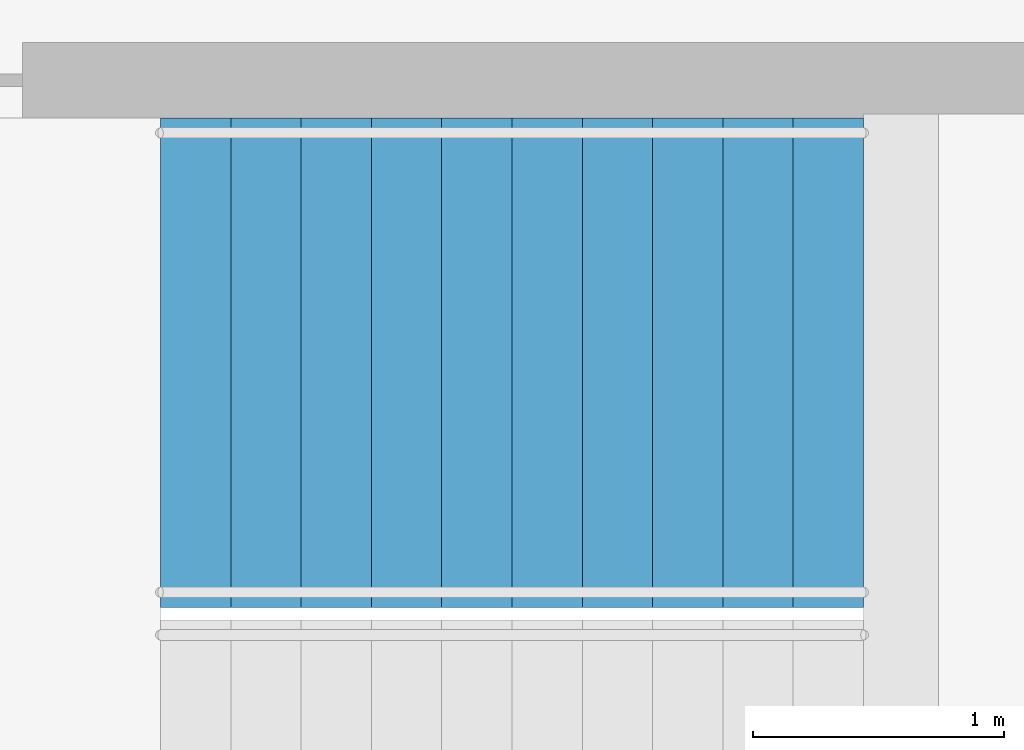
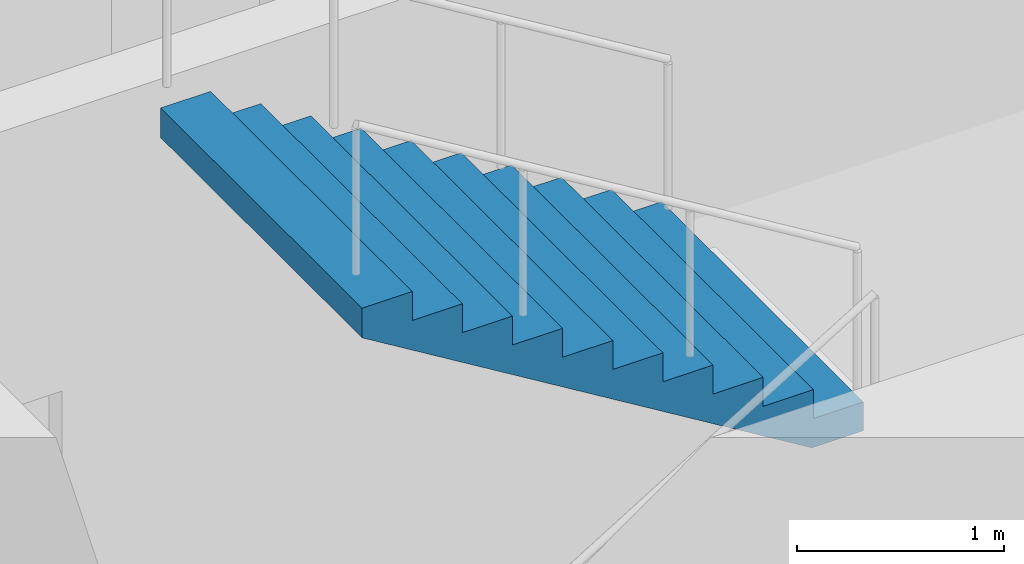
# One storey, part 21 of 26: 1 stair flight, 1 element without a shape of its own.
"""IFC4 building model written with IfcOpenShell, lengths in metres."""

from ifc_helpers import new_model, si_unit, direction, frame, origin, place, context, subcontext, project, spatial, triangles, material, type_object, element, aggregate, save


model = new_model("IFC4")

# Units and contexts
model_context = context("Model", 3, precision=1e-05, world=origin(), true_north=direction((0.0, 1.0)))
body_context = subcontext(model_context, "Body", "Model", "MODEL_VIEW")
ifc_project = project(units=[si_unit("LENGTHUNIT", "METRE"), si_unit("AREAUNIT", "SQUARE_METRE"), si_unit("VOLUMEUNIT", "CUBIC_METRE"), si_unit("PLANEANGLEUNIT", "RADIAN"), si_unit("MASSUNIT", "GRAM", prefix="KILO")], contexts=[model_context])

# Site, building, storey
site_placement = place(None, origin())
site = spatial("IfcSite", under=ifc_project, at=site_placement, CompositionType="ELEMENT")
building_placement = place(site_placement, origin())
building = spatial("IfcBuilding", under=site, at=building_placement, Name="Orbita Commons", CompositionType="ELEMENT")
storey_placement = place(building_placement, frame((0.0, 0.0, 53.949951171875)))
storey = spatial("IfcBuildingStorey", under=building, at=storey_placement, Name="L13", CompositionType="ELEMENT", Elevation=53.949951171875)

# Stair, stair flight
ifc_material_1 = material(Name="Precast concrete C40/50", Category="concrete")
stair_type = type_object("IfcStairType", Name="Exit stair S1 2 flights 11 risers 170", PredefinedType="HALF_TURN_STAIR", material=ifc_material_1)
stair_placement = place(storey_placement, origin())
stair = element("IfcStair", 1, at=stair_placement, inside=storey, type_object=stair_type, Name="Exit stair S1 L13", PredefinedType="HALF_TURN_STAIR")
ifc_material_2 = material(Name="Precast concrete C40/50", Category="concrete")
stair_flight_type = type_object("IfcStairFlightType", Name="Stair flight 11 risers 170 x 280", PredefinedType="STRAIGHT", material=ifc_material_2)
stair_flight_placement = place(storey_placement, frame((23.25, 29.27490234375, 1.875), z_axis=(0.0, 0.0, 1.0), x_axis=(-1.0, 0.0, 0.0)))
stair_flight = element("IfcStairFlight", 2, at=stair_flight_placement, type_object=stair_flight_type, Name="S1 flight 2", NumberOfRisers=11, NumberOfTreads=10, PredefinedType="STRAIGHT", RiserHeight=0.170454545, TreadLength=0.28, context=body_context, shape_type="Tessellation", body=[
    triangles([(0.0, 0.974976, 0.0), (0.0, 0.974976, 0.021307), (0.0, 0.81248, 0.021307), (0.0, 0.81248, 0.0), (0.0, 0.649984, 0.021307), (0.0, 0.649984, 0.0), (0.0, 0.487488, 0.021307), (0.0, 0.487488, 0.0), (0.0, 0.324992, 0.021307), (0.0, 0.324992, 0.0), (0.0, 0.162496, 0.021307), (0.0, 0.162496, 0.0), (0.0, 0.0, 0.021307), (0.0, 0.0, 0.0), (0.0, -0.162496, 0.021307), (0.0, -0.162496, 0.0), (0.0, -0.324992, 0.021307), (0.0, -0.324992, 0.0), (0.0, -0.487488, 0.021307), (0.0, -0.487488, 0.0), (0.0, -0.649984, 0.021307), (0.0, -0.649984, 0.0), (0.0, -0.81248, 0.021307), (0.0, -0.81248, 0.0), (0.0, -0.974976, 0.021307), (0.0, -0.974976, 0.0), (0.0, 0.974976, 0.042614), (0.0, 0.81248, 0.042614), (0.0, 0.649984, 0.042614), (0.0, 0.487488, 0.042614), (0.0, 0.324992, 0.042614), (0.0, 0.162496, 0.042614), (0.0, 0.0, 0.042614), (0.0, -0.162496, 0.042614), (0.0, -0.324992, 0.042614), (0.0, -0.487488, 0.042614), (0.0, -0.649984, 0.042614), (0.0, -0.81248, 0.042614), (0.0, -0.974976, 0.042614), (0.0, 0.974976, 0.06392), (0.0, 0.81248, 0.06392), (0.0, 0.649984, 0.06392), (0.0, 0.487488, 0.06392), (0.0, 0.324992, 0.06392), (0.0, 0.162496, 0.06392), (0.0, 0.0, 0.06392), (0.0, -0.162496, 0.06392), (0.0, -0.324992, 0.06392), (0.0, -0.487488, 0.06392), (0.0, -0.649984, 0.06392), (0.0, -0.81248, 0.06392), (0.0, -0.974976, 0.06392), (0.0, 0.974976, 0.085227), (0.0, 0.81248, 0.085227), (0.0, 0.649984, 0.085227), (0.0, 0.487488, 0.085227), (0.0, 0.324992, 0.085227), (0.0, 0.162496, 0.085227), (0.0, 0.0, 0.085227), (0.0, -0.162496, 0.085227), (0.0, -0.324992, 0.085227), (0.0, -0.487488, 0.085227), (0.0, -0.649984, 0.085227), (0.0, -0.81248, 0.085227), (0.0, -0.974976, 0.085227), (0.0, 0.974976, 0.106534), (0.0, 0.81248, 0.106534), (0.0, 0.649984, 0.106534), (0.0, 0.487488, 0.106534), (0.0, 0.324992, 0.106534), (0.0, 0.162496, 0.106534), (0.0, 0.0, 0.106534), (0.0, -0.162496, 0.106534), (0.0, -0.324992, 0.106534), (0.0, -0.487488, 0.106534), (0.0, -0.649984, 0.106534), (0.0, -0.81248, 0.106534), (0.0, -0.974976, 0.106534), (0.0, 0.974976, 0.127841), (0.0, 0.81248, 0.127841), (0.0, 0.649984, 0.127841), (0.0, 0.487488, 0.127841), (0.0, 0.324992, 0.127841), (0.0, 0.162496, 0.127841), (0.0, 0.0, 0.127841), (0.0, -0.162496, 0.127841), (0.0, -0.324992, 0.127841), (0.0, -0.487488, 0.127841), (0.0, -0.649984, 0.127841), (0.0, -0.81248, 0.127841), (0.0, -0.974976, 0.127841), (0.0, 0.974976, 0.149148), (0.0, 0.81248, 0.149148), (0.0, 0.649984, 0.149148), (0.0, 0.487488, 0.149148), (0.0, 0.324992, 0.149148), (0.0, 0.162496, 0.149148), (0.0, 0.0, 0.149148), (0.0, -0.162496, 0.149148), (0.0, -0.324992, 0.149148), (0.0, -0.487488, 0.149148), (0.0, -0.649984, 0.149148), (0.0, -0.81248, 0.149148), (0.0, -0.974976, 0.149148), (0.0, 0.974976, 0.170455), (0.0, 0.81248, 0.170455), (0.0, 0.649984, 0.170455), (0.0, 0.487488, 0.170455), (0.0, 0.324992, 0.170455), (0.0, 0.162496, 0.170455), (0.0, 0.0, 0.170455), (0.0, -0.162496, 0.170455), (0.0, -0.324992, 0.170455), (0.0, -0.487488, 0.170455), (0.0, -0.649984, 0.170455), (0.0, -0.81248, 0.170455), (0.0, -0.974976, 0.170455), (0.28, 0.974976, 0.170455), (0.28, 0.81248, 0.170455), (0.28, 0.649984, 0.170455), (0.28, 0.487488, 0.170455), (0.28, 0.324992, 0.170455), (0.28, 0.162496, 0.170455), (0.28, 0.0, 0.170455), (0.28, -0.162496, 0.170455), (0.28, -0.324992, 0.170455), (0.28, -0.487488, 0.170455), (0.28, -0.649984, 0.170455), (0.28, -0.81248, 0.170455), (0.28, -0.974976, 0.170455), (0.28, 0.974976, 0.340909), (0.28, 0.81248, 0.340909), (0.28, 0.649984, 0.340909), (0.28, 0.487488, 0.340909), (0.28, 0.324992, 0.340909), (0.28, 0.162496, 0.340909), (0.28, 0.0, 0.340909), (0.28, -0.162496, 0.340909), (0.28, -0.324992, 0.340909), (0.28, -0.487488, 0.340909), (0.28, -0.649984, 0.340909), (0.28, -0.81248, 0.340909), (0.28, -0.974976, 0.340909), (0.56, 0.974976, 0.340909), (0.56, 0.81248, 0.340909), (0.56, 0.649984, 0.340909), (0.56, 0.487488, 0.340909), (0.56, 0.324992, 0.340909), (0.56, 0.162496, 0.340909), (0.56, 0.0, 0.340909), (0.56, -0.162496, 0.340909), (0.56, -0.324992, 0.340909), (0.56, -0.487488, 0.340909), (0.56, -0.649984, 0.340909), (0.56, -0.81248, 0.340909), (0.56, -0.974976, 0.340909), (0.56, 0.974976, 0.511364), (0.56, 0.81248, 0.511364), (0.56, 0.649984, 0.511364), (0.56, 0.487488, 0.511364), (0.56, 0.324992, 0.511364), (0.56, 0.162496, 0.511364), (0.56, 0.0, 0.511364), (0.56, -0.162496, 0.511364), (0.56, -0.324992, 0.511364), (0.56, -0.487488, 0.511364), (0.56, -0.649984, 0.511364), (0.56, -0.81248, 0.511364), (0.56, -0.974976, 0.511364), (0.84, 0.974976, 0.511364), (0.84, 0.81248, 0.511364), (0.84, 0.649984, 0.511364), (0.84, 0.487488, 0.511364), (0.84, 0.324992, 0.511364), (0.84, 0.162496, 0.511364), (0.84, 0.0, 0.511364), (0.84, -0.162496, 0.511364), (0.84, -0.324992, 0.511364), (0.84, -0.487488, 0.511364), (0.84, -0.649984, 0.511364), (0.84, -0.81248, 0.511364), (0.84, -0.974976, 0.511364), (0.84, 0.974976, 0.681818), (0.84, 0.81248, 0.681818), (0.84, 0.649984, 0.681818), (0.84, 0.487488, 0.681818), (0.84, 0.324992, 0.681818), (0.84, 0.162496, 0.681818), (0.84, 0.0, 0.681818), (0.84, -0.162496, 0.681818), (0.84, -0.324992, 0.681818), (0.84, -0.487488, 0.681818), (0.84, -0.649984, 0.681818), (0.84, -0.81248, 0.681818), (0.84, -0.974976, 0.681818), (1.12, 0.974976, 0.681818), (1.12, 0.81248, 0.681818), (1.12, 0.649984, 0.681818), (1.12, 0.487488, 0.681818), (1.12, 0.324992, 0.681818), (1.12, 0.162496, 0.681818), (1.12, 0.0, 0.681818), (1.12, -0.162496, 0.681818), (1.12, -0.324992, 0.681818), (1.12, -0.487488, 0.681818), (1.12, -0.649984, 0.681818), (1.12, -0.81248, 0.681818), (1.12, -0.974976, 0.681818), (1.12, 0.974976, 0.852273), (1.12, 0.81248, 0.852273), (1.12, 0.649984, 0.852273), (1.12, 0.487488, 0.852273), (1.12, 0.324992, 0.852273), (1.12, 0.162496, 0.852273), (1.12, 0.0, 0.852273), (1.12, -0.162496, 0.852273), (1.12, -0.324992, 0.852273), (1.12, -0.487488, 0.852273), (1.12, -0.649984, 0.852273), (1.12, -0.81248, 0.852273), (1.12, -0.974976, 0.852273), (1.4, 0.974976, 0.852273), (1.4, 0.81248, 0.852273), (1.4, 0.649984, 0.852273), (1.4, 0.487488, 0.852273), (1.4, 0.324992, 0.852273), (1.4, 0.162496, 0.852273), (1.4, 0.0, 0.852273), (1.4, -0.162496, 0.852273), (1.4, -0.324992, 0.852273), (1.4, -0.487488, 0.852273), (1.4, -0.649984, 0.852273), (1.4, -0.81248, 0.852273), (1.4, -0.974976, 0.852273), (1.4, 0.974976, 1.022727), (1.4, 0.81248, 1.022727), (1.4, 0.649984, 1.022727), (1.4, 0.487488, 1.022727), (1.4, 0.324992, 1.022727), (1.4, 0.162496, 1.022727), (1.4, 0.0, 1.022727), (1.4, -0.162496, 1.022727), (1.4, -0.324992, 1.022727), (1.4, -0.487488, 1.022727), (1.4, -0.649984, 1.022727), (1.4, -0.81248, 1.022727), (1.4, -0.974976, 1.022727), (1.68, 0.974976, 1.022727), (1.68, 0.81248, 1.022727), (1.68, 0.649984, 1.022727), (1.68, 0.487488, 1.022727), (1.68, 0.324992, 1.022727), (1.68, 0.162496, 1.022727), (1.68, 0.0, 1.022727), (1.68, -0.162496, 1.022727), (1.68, -0.324992, 1.022727), (1.68, -0.487488, 1.022727), (1.68, -0.649984, 1.022727), (1.68, -0.81248, 1.022727), (1.68, -0.974976, 1.022727), (1.68, 0.974976, 1.193182), (1.68, 0.81248, 1.193182), (1.68, 0.649984, 1.193182), (1.68, 0.487488, 1.193182), (1.68, 0.324992, 1.193182), (1.68, 0.162496, 1.193182), (1.68, 0.0, 1.193182), (1.68, -0.162496, 1.193182), (1.68, -0.324992, 1.193182), (1.68, -0.487488, 1.193182), (1.68, -0.649984, 1.193182), (1.68, -0.81248, 1.193182), (1.68, -0.974976, 1.193182), (1.96, 0.974976, 1.193182), (1.96, 0.81248, 1.193182), (1.96, 0.649984, 1.193182), (1.96, 0.487488, 1.193182), (1.96, 0.324992, 1.193182), (1.96, 0.162496, 1.193182), (1.96, 0.0, 1.193182), (1.96, -0.162496, 1.193182), (1.96, -0.324992, 1.193182), (1.96, -0.487488, 1.193182), (1.96, -0.649984, 1.193182), (1.96, -0.81248, 1.193182), (1.96, -0.974976, 1.193182), (1.96, 0.974976, 1.363636), (1.96, 0.81248, 1.363636), (1.96, 0.649984, 1.363636), (1.96, 0.487488, 1.363636), (1.96, 0.324992, 1.363636), (1.96, 0.162496, 1.363636), (1.96, 0.0, 1.363636), (1.96, -0.162496, 1.363636), (1.96, -0.324992, 1.363636), (1.96, -0.487488, 1.363636), (1.96, -0.649984, 1.363636), (1.96, -0.81248, 1.363636), (1.96, -0.974976, 1.363636), (2.24, 0.974976, 1.363636), (2.24, 0.81248, 1.363636), (2.24, 0.649984, 1.363636), (2.24, 0.487488, 1.363636), (2.24, 0.324992, 1.363636), (2.24, 0.162496, 1.363636), (2.24, 0.0, 1.363636), (2.24, -0.162496, 1.363636), (2.24, -0.324992, 1.363636), (2.24, -0.487488, 1.363636), (2.24, -0.649984, 1.363636), (2.24, -0.81248, 1.363636), (2.24, -0.974976, 1.363636), (2.24, 0.974976, 1.534091), (2.24, 0.81248, 1.534091), (2.24, 0.649984, 1.534091), (2.24, 0.487488, 1.534091), (2.24, 0.324992, 1.534091), (2.24, 0.162496, 1.534091), (2.24, 0.0, 1.534091), (2.24, -0.162496, 1.534091), (2.24, -0.324992, 1.534091), (2.24, -0.487488, 1.534091), (2.24, -0.649984, 1.534091), (2.24, -0.81248, 1.534091), (2.24, -0.974976, 1.534091), (2.52, 0.974976, 1.534091), (2.52, 0.81248, 1.534091), (2.52, 0.649984, 1.534091), (2.52, 0.487488, 1.534091), (2.52, 0.324992, 1.534091), (2.52, 0.162496, 1.534091), (2.52, 0.0, 1.534091), (2.52, -0.162496, 1.534091), (2.52, -0.324992, 1.534091), (2.52, -0.487488, 1.534091), (2.52, -0.649984, 1.534091), (2.52, -0.81248, 1.534091), (2.52, -0.974976, 1.534091), (2.52, 0.974976, 1.704545), (2.52, 0.81248, 1.704545), (2.52, 0.649984, 1.704545), (2.52, 0.487488, 1.704545), (2.52, 0.324992, 1.704545), (2.52, 0.162496, 1.704545), (2.52, 0.0, 1.704545), (2.52, -0.162496, 1.704545), (2.52, -0.324992, 1.704545), (2.52, -0.487488, 1.704545), (2.52, -0.649984, 1.704545), (2.52, -0.81248, 1.704545), (2.52, -0.974976, 1.704545), (2.8, 0.974976, 1.704545), (2.8, 0.81248, 1.704545), (2.8, 0.649984, 1.704545), (2.8, 0.487488, 1.704545), (2.8, 0.324992, 1.704545), (2.8, 0.162496, 1.704545), (2.8, 0.0, 1.704545), (2.8, -0.162496, 1.704545), (2.8, -0.324992, 1.704545), (2.8, -0.487488, 1.704545), (2.8, -0.649984, 1.704545), (2.8, -0.81248, 1.704545), (2.8, -0.974976, 1.704545), (2.8, 0.974976, 1.682609), (2.8, 0.81248, 1.682609), (2.8, 0.649984, 1.682609), (2.8, 0.487488, 1.682609), (2.8, 0.324992, 1.682609), (2.8, 0.162496, 1.682609), (2.8, 0.0, 1.682609), (2.8, -0.162496, 1.682609), (2.8, -0.324992, 1.682609), (2.8, -0.487488, 1.682609), (2.8, -0.649984, 1.682609), (2.8, -0.81248, 1.682609), (2.8, -0.974976, 1.682609), (2.8, 0.974976, 1.660672), (2.8, 0.81248, 1.660672), (2.8, 0.649984, 1.660672), (2.8, 0.487488, 1.660672), (2.8, 0.324992, 1.660672), (2.8, 0.162496, 1.660672), (2.8, 0.0, 1.660672), (2.8, -0.162496, 1.660672), (2.8, -0.324992, 1.660672), (2.8, -0.487488, 1.660672), (2.8, -0.649984, 1.660672), (2.8, -0.81248, 1.660672), (2.8, -0.974976, 1.660672), (2.8, 0.974976, 1.638735), (2.8, 0.81248, 1.638735), (2.8, 0.649984, 1.638735), (2.8, 0.487488, 1.638735), (2.8, 0.324992, 1.638735), (2.8, 0.162496, 1.638735), (2.8, 0.0, 1.638735), (2.8, -0.162496, 1.638735), (2.8, -0.324992, 1.638735), (2.8, -0.487488, 1.638735), (2.8, -0.649984, 1.638735), (2.8, -0.81248, 1.638735), (2.8, -0.974976, 1.638735), (2.8, 0.974976, 1.616798), (2.8, 0.81248, 1.616798), (2.8, 0.649984, 1.616798), (2.8, 0.487488, 1.616798), (2.8, 0.324992, 1.616798), (2.8, 0.162496, 1.616798), (2.8, 0.0, 1.616798), (2.8, -0.162496, 1.616798), (2.8, -0.324992, 1.616798), (2.8, -0.487488, 1.616798), (2.8, -0.649984, 1.616798), (2.8, -0.81248, 1.616798), (2.8, -0.974976, 1.616798), (2.8, 0.974976, 1.594861), (2.8, 0.81248, 1.594861), (2.8, 0.649984, 1.594861), (2.8, 0.487488, 1.594861), (2.8, 0.324992, 1.594861), (2.8, 0.162496, 1.594861), (2.8, 0.0, 1.594861), (2.8, -0.162496, 1.594861), (2.8, -0.324992, 1.594861), (2.8, -0.487488, 1.594861), (2.8, -0.649984, 1.594861), (2.8, -0.81248, 1.594861), (2.8, -0.974976, 1.594861), (2.8, 0.974976, 1.572925), (2.8, 0.81248, 1.572925), (2.8, 0.649984, 1.572925), (2.8, 0.487488, 1.572925), (2.8, 0.324992, 1.572925), (2.8, 0.162496, 1.572925), (2.8, 0.0, 1.572925), (2.8, -0.162496, 1.572925), (2.8, -0.324992, 1.572925), (2.8, -0.487488, 1.572925), (2.8, -0.649984, 1.572925), (2.8, -0.81248, 1.572925), (2.8, -0.974976, 1.572925), (2.8, 0.974976, 1.550988), (2.8, 0.81248, 1.550988), (2.8, 0.649984, 1.550988), (2.8, 0.487488, 1.550988), (2.8, 0.324992, 1.550988), (2.8, 0.162496, 1.550988), (2.8, 0.0, 1.550988), (2.8, -0.162496, 1.550988), (2.8, -0.324992, 1.550988), (2.8, -0.487488, 1.550988), (2.8, -0.649984, 1.550988), (2.8, -0.81248, 1.550988), (2.8, -0.974976, 1.550988), (2.8, 0.974976, 1.529051), (2.8, 0.81248, 1.529051), (2.8, 0.649984, 1.529051), (2.8, 0.487488, 1.529051), (2.8, 0.324992, 1.529051), (2.8, 0.162496, 1.529051), (2.8, 0.0, 1.529051), (2.8, -0.162496, 1.529051), (2.8, -0.324992, 1.529051), (2.8, -0.487488, 1.529051), (2.8, -0.649984, 1.529051), (2.8, -0.81248, 1.529051), (2.8, -0.974976, 1.529051), (0.288279, 0.974976, 0.0), (0.288279, 0.81248, 0.0), (0.288279, 0.649984, 0.0), (0.288279, 0.487488, 0.0), (0.288279, 0.324992, 0.0), (0.288279, 0.162496, 0.0), (0.288279, 0.0, 0.0), (0.288279, -0.162496, 0.0), (0.288279, -0.324992, 0.0), (0.288279, -0.487488, 0.0), (0.288279, -0.649984, 0.0), (0.288279, -0.81248, 0.0), (0.288279, -0.974976, 0.0)], [[3, 2, 1], [4, 3, 1], [5, 3, 4], [6, 5, 4], [7, 5, 6], [8, 7, 6], [9, 7, 8], [10, 9, 8], [11, 9, 10], [12, 11, 10], [13, 11, 12], [14, 13, 12], [15, 13, 14], [16, 15, 14], [17, 15, 16], [18, 17, 16], [19, 17, 18], [20, 19, 18], [21, 19, 20], [22, 21, 20], [23, 21, 22], [24, 23, 22], [25, 23, 24], [26, 25, 24], [28, 27, 2], [3, 28, 2], [29, 28, 3], [5, 29, 3], [30, 29, 5], [7, 30, 5], [31, 30, 7], [9, 31, 7], [32, 31, 9], [11, 32, 9], [33, 32, 11], [13, 33, 11], [34, 33, 13], [15, 34, 13], [35, 34, 15], [17, 35, 15], [36, 35, 17], [19, 36, 17], [37, 36, 19], [21, 37, 19], [38, 37, 21], [23, 38, 21], [39, 38, 23], [25, 39, 23], [41, 40, 27], [28, 41, 27], [42, 41, 28], [29, 42, 28], [43, 42, 29], [30, 43, 29], [44, 43, 30], [31, 44, 30], [45, 44, 31], [32, 45, 31], [46, 45, 32], [33, 46, 32], [47, 46, 33], [34, 47, 33], [48, 47, 34], [35, 48, 34], [49, 48, 35], [36, 49, 35], [50, 49, 36], [37, 50, 36], [51, 50, 37], [38, 51, 37], [52, 51, 38], [39, 52, 38], [54, 53, 40], [41, 54, 40], [55, 54, 41], [42, 55, 41], [56, 55, 42], [43, 56, 42], [57, 56, 43], [44, 57, 43], [58, 57, 44], [45, 58, 44], [59, 58, 45], [46, 59, 45], [60, 59, 46], [47, 60, 46], [61, 60, 47], [48, 61, 47], [62, 61, 48], [49, 62, 48], [63, 62, 49], [50, 63, 49], [64, 63, 50], [51, 64, 50], [65, 64, 51], [52, 65, 51], [67, 66, 53], [54, 67, 53], [68, 67, 54], [55, 68, 54], [69, 68, 55], [56, 69, 55], [70, 69, 56], [57, 70, 56], [71, 70, 57], [58, 71, 57], [72, 71, 58], [59, 72, 58], [73, 72, 59], [60, 73, 59], [74, 73, 60], [61, 74, 60], [75, 74, 61], [62, 75, 61], [76, 75, 62], [63, 76, 62], [77, 76, 63], [64, 77, 63], [78, 77, 64], [65, 78, 64], [80, 79, 66], [67, 80, 66], [81, 80, 67], [68, 81, 67], [82, 81, 68], [69, 82, 68], [83, 82, 69], [70, 83, 69], [84, 83, 70], [71, 84, 70], [85, 84, 71], [72, 85, 71], [86, 85, 72], [73, 86, 72], [87, 86, 73], [74, 87, 73], [88, 87, 74], [75, 88, 74], [89, 88, 75], [76, 89, 75], [90, 89, 76], [77, 90, 76], [91, 90, 77], [78, 91, 77], [93, 92, 79], [80, 93, 79], [94, 93, 80], [81, 94, 80], [95, 94, 81], [82, 95, 81], [96, 95, 82], [83, 96, 82], [97, 96, 83], [84, 97, 83], [98, 97, 84], [85, 98, 84], [99, 98, 85], [86, 99, 85], [100, 99, 86], [87, 100, 86], [101, 100, 87], [88, 101, 87], [102, 101, 88], [89, 102, 88], [103, 102, 89], [90, 103, 89], [104, 103, 90], [91, 104, 90], [106, 105, 92], [93, 106, 92], [107, 106, 93], [94, 107, 93], [108, 107, 94], [95, 108, 94], [109, 108, 95], [96, 109, 95], [110, 109, 96], [97, 110, 96], [111, 110, 97], [98, 111, 97], [112, 111, 98], [99, 112, 98], [113, 112, 99], [100, 113, 99], [114, 113, 100], [101, 114, 100], [115, 114, 101], [102, 115, 101], [116, 115, 102], [103, 116, 102], [117, 116, 103], [104, 117, 103], [119, 118, 105], [106, 119, 105], [120, 119, 106], [107, 120, 106], [121, 120, 107], [108, 121, 107], [122, 121, 108], [109, 122, 108], [123, 122, 109], [110, 123, 109], [124, 123, 110], [111, 124, 110], [125, 124, 111], [112, 125, 111], [126, 125, 112], [113, 126, 112], [127, 126, 113], [114, 127, 113], [128, 127, 114], [115, 128, 114], [129, 128, 115], [116, 129, 115], [130, 129, 116], [117, 130, 116], [132, 131, 118], [119, 132, 118], [133, 132, 119], [120, 133, 119], [134, 133, 120], [121, 134, 120], [135, 134, 121], [122, 135, 121], [136, 135, 122], [123, 136, 122], [137, 136, 123], [124, 137, 123], [138, 137, 124], [125, 138, 124], [139, 138, 125], [126, 139, 125], [140, 139, 126], [127, 140, 126], [141, 140, 127], [128, 141, 127], [142, 141, 128], [129, 142, 128], [143, 142, 129], [130, 143, 129], [145, 144, 131], [132, 145, 131], [146, 145, 132], [133, 146, 132], [147, 146, 133], [134, 147, 133], [148, 147, 134], [135, 148, 134], [149, 148, 135], [136, 149, 135], [150, 149, 136], [137, 150, 136], [151, 150, 137], [138, 151, 137], [152, 151, 138], [139, 152, 138], [153, 152, 139], [140, 153, 139], [154, 153, 140], [141, 154, 140], [155, 154, 141], [142, 155, 141], [156, 155, 142], [143, 156, 142], [158, 157, 144], [145, 158, 144], [159, 158, 145], [146, 159, 145], [160, 159, 146], [147, 160, 146], [161, 160, 147], [148, 161, 147], [162, 161, 148], [149, 162, 148], [163, 162, 149], [150, 163, 149], [164, 163, 150], [151, 164, 150], [165, 164, 151], [152, 165, 151], [166, 165, 152], [153, 166, 152], [167, 166, 153], [154, 167, 153], [168, 167, 154], [155, 168, 154], [169, 168, 155], [156, 169, 155], [171, 170, 157], [158, 171, 157], [172, 171, 158], [159, 172, 158], [173, 172, 159], [160, 173, 159], [174, 173, 160], [161, 174, 160], [175, 174, 161], [162, 175, 161], [176, 175, 162], [163, 176, 162], [177, 176, 163], [164, 177, 163], [178, 177, 164], [165, 178, 164], [179, 178, 165], [166, 179, 165], [180, 179, 166], [167, 180, 166], [181, 180, 167], [168, 181, 167], [182, 181, 168], [169, 182, 168], [184, 183, 170], [171, 184, 170], [185, 184, 171], [172, 185, 171], [186, 185, 172], [173, 186, 172], [187, 186, 173], [174, 187, 173], [188, 187, 174], [175, 188, 174], [189, 188, 175], [176, 189, 175], [190, 189, 176], [177, 190, 176], [191, 190, 177], [178, 191, 177], [192, 191, 178], [179, 192, 178], [193, 192, 179], [180, 193, 179], [194, 193, 180], [181, 194, 180], [195, 194, 181], [182, 195, 181], [197, 196, 183], [184, 197, 183], [198, 197, 184], [185, 198, 184], [199, 198, 185], [186, 199, 185], [200, 199, 186], [187, 200, 186], [201, 200, 187], [188, 201, 187], [202, 201, 188], [189, 202, 188], [203, 202, 189], [190, 203, 189], [204, 203, 190], [191, 204, 190], [205, 204, 191], [192, 205, 191], [206, 205, 192], [193, 206, 192], [207, 206, 193], [194, 207, 193], [208, 207, 194], [195, 208, 194], [210, 209, 196], [197, 210, 196], [211, 210, 197], [198, 211, 197], [212, 211, 198], [199, 212, 198], [213, 212, 199], [200, 213, 199], [214, 213, 200], [201, 214, 200], [215, 214, 201], [202, 215, 201], [216, 215, 202], [203, 216, 202], [217, 216, 203], [204, 217, 203], [218, 217, 204], [205, 218, 204], [219, 218, 205], [206, 219, 205], [220, 219, 206], [207, 220, 206], [221, 220, 207], [208, 221, 207], [223, 222, 209], [210, 223, 209], [224, 223, 210], [211, 224, 210], [225, 224, 211], [212, 225, 211], [226, 225, 212], [213, 226, 212], [227, 226, 213], [214, 227, 213], [228, 227, 214], [215, 228, 214], [229, 228, 215], [216, 229, 215], [230, 229, 216], [217, 230, 216], [231, 230, 217], [218, 231, 217], [232, 231, 218], [219, 232, 218], [233, 232, 219], [220, 233, 219], [234, 233, 220], [221, 234, 220], [236, 235, 222], [223, 236, 222], [237, 236, 223], [224, 237, 223], [238, 237, 224], [225, 238, 224], [239, 238, 225], [226, 239, 225], [240, 239, 226], [227, 240, 226], [241, 240, 227], [228, 241, 227], [242, 241, 228], [229, 242, 228], [243, 242, 229], [230, 243, 229], [244, 243, 230], [231, 244, 230], [245, 244, 231], [232, 245, 231], [246, 245, 232], [233, 246, 232], [247, 246, 233], [234, 247, 233], [249, 248, 235], [236, 249, 235], [250, 249, 236], [237, 250, 236], [251, 250, 237], [238, 251, 237], [252, 251, 238], [239, 252, 238], [253, 252, 239], [240, 253, 239], [254, 253, 240], [241, 254, 240], [255, 254, 241], [242, 255, 241], [256, 255, 242], [243, 256, 242], [257, 256, 243], [244, 257, 243], [258, 257, 244], [245, 258, 244], [259, 258, 245], [246, 259, 245], [260, 259, 246], [247, 260, 246], [262, 261, 248], [249, 262, 248], [263, 262, 249], [250, 263, 249], [264, 263, 250], [251, 264, 250], [265, 264, 251], [252, 265, 251], [266, 265, 252], [253, 266, 252], [267, 266, 253], [254, 267, 253], [268, 267, 254], [255, 268, 254], [269, 268, 255], [256, 269, 255], [270, 269, 256], [257, 270, 256], [271, 270, 257], [258, 271, 257], [272, 271, 258], [259, 272, 258], [273, 272, 259], [260, 273, 259], [275, 274, 261], [262, 275, 261], [276, 275, 262], [263, 276, 262], [277, 276, 263], [264, 277, 263], [278, 277, 264], [265, 278, 264], [279, 278, 265], [266, 279, 265], [280, 279, 266], [267, 280, 266], [281, 280, 267], [268, 281, 267], [282, 281, 268], [269, 282, 268], [283, 282, 269], [270, 283, 269], [284, 283, 270], [271, 284, 270], [285, 284, 271], [272, 285, 271], [286, 285, 272], [273, 286, 272], [288, 287, 274], [275, 288, 274], [289, 288, 275], [276, 289, 275], [290, 289, 276], [277, 290, 276], [291, 290, 277], [278, 291, 277], [292, 291, 278], [279, 292, 278], [293, 292, 279], [280, 293, 279], [294, 293, 280], [281, 294, 280], [295, 294, 281], [282, 295, 281], [296, 295, 282], [283, 296, 282], [297, 296, 283], [284, 297, 283], [298, 297, 284], [285, 298, 284], [299, 298, 285], [286, 299, 285], [301, 300, 287], [288, 301, 287], [302, 301, 288], [289, 302, 288], [303, 302, 289], [290, 303, 289], [304, 303, 290], [291, 304, 290], [305, 304, 291], [292, 305, 291], [306, 305, 292], [293, 306, 292], [307, 306, 293], [294, 307, 293], [308, 307, 294], [295, 308, 294], [309, 308, 295], [296, 309, 295], [310, 309, 296], [297, 310, 296], [311, 310, 297], [298, 311, 297], [312, 311, 298], [299, 312, 298], [314, 313, 300], [301, 314, 300], [315, 314, 301], [302, 315, 301], [316, 315, 302], [303, 316, 302], [317, 316, 303], [304, 317, 303], [318, 317, 304], [305, 318, 304], [319, 318, 305], [306, 319, 305], [320, 319, 306], [307, 320, 306], [321, 320, 307], [308, 321, 307], [322, 321, 308], [309, 322, 308], [323, 322, 309], [310, 323, 309], [324, 323, 310], [311, 324, 310], [325, 324, 311], [312, 325, 311], [327, 326, 313], [314, 327, 313], [328, 327, 314], [315, 328, 314], [329, 328, 315], [316, 329, 315], [330, 329, 316], [317, 330, 316], [331, 330, 317], [318, 331, 317], [332, 331, 318], [319, 332, 318], [333, 332, 319], [320, 333, 319], [334, 333, 320], [321, 334, 320], [335, 334, 321], [322, 335, 321], [336, 335, 322], [323, 336, 322], [337, 336, 323], [324, 337, 323], [338, 337, 324], [325, 338, 324], [340, 339, 326], [327, 340, 326], [341, 340, 327], [328, 341, 327], [342, 341, 328], [329, 342, 328], [343, 342, 329], [330, 343, 329], [344, 343, 330], [331, 344, 330], [345, 344, 331], [332, 345, 331], [346, 345, 332], [333, 346, 332], [347, 346, 333], [334, 347, 333], [348, 347, 334], [335, 348, 334], [349, 348, 335], [336, 349, 335], [350, 349, 336], [337, 350, 336], [351, 350, 337], [338, 351, 337], [353, 352, 339], [340, 353, 339], [354, 353, 340], [341, 354, 340], [355, 354, 341], [342, 355, 341], [356, 355, 342], [343, 356, 342], [357, 356, 343], [344, 357, 343], [358, 357, 344], [345, 358, 344], [359, 358, 345], [346, 359, 345], [360, 359, 346], [347, 360, 346], [361, 360, 347], [348, 361, 347], [362, 361, 348], [349, 362, 348], [363, 362, 349], [350, 363, 349], [364, 363, 350], [351, 364, 350], [366, 365, 352], [353, 366, 352], [367, 366, 353], [354, 367, 353], [368, 367, 354], [355, 368, 354], [369, 368, 355], [356, 369, 355], [370, 369, 356], [357, 370, 356], [371, 370, 357], [358, 371, 357], [372, 371, 358], [359, 372, 358], [373, 372, 359], [360, 373, 359], [374, 373, 360], [361, 374, 360], [375, 374, 361], [362, 375, 361], [376, 375, 362], [363, 376, 362], [377, 376, 363], [364, 377, 363], [379, 378, 365], [366, 379, 365], [380, 379, 366], [367, 380, 366], [381, 380, 367], [368, 381, 367], [382, 381, 368], [369, 382, 368], [383, 382, 369], [370, 383, 369], [384, 383, 370], [371, 384, 370], [385, 384, 371], [372, 385, 371], [386, 385, 372], [373, 386, 372], [387, 386, 373], [374, 387, 373], [388, 387, 374], [375, 388, 374], [389, 388, 375], [376, 389, 375], [390, 389, 376], [377, 390, 376], [392, 391, 378], [379, 392, 378], [393, 392, 379], [380, 393, 379], [394, 393, 380], [381, 394, 380], [395, 394, 381], [382, 395, 381], [396, 395, 382], [383, 396, 382], [397, 396, 383], [384, 397, 383], [398, 397, 384], [385, 398, 384], [399, 398, 385], [386, 399, 385], [400, 399, 386], [387, 400, 386], [401, 400, 387], [388, 401, 387], [402, 401, 388], [389, 402, 388], [403, 402, 389], [390, 403, 389], [405, 404, 391], [392, 405, 391], [406, 405, 392], [393, 406, 392], [407, 406, 393], [394, 407, 393], [408, 407, 394], [395, 408, 394], [409, 408, 395], [396, 409, 395], [410, 409, 396], [397, 410, 396], [411, 410, 397], [398, 411, 397], [412, 411, 398], [399, 412, 398], [413, 412, 399], [400, 413, 399], [414, 413, 400], [401, 414, 400], [415, 414, 401], [402, 415, 401], [416, 415, 402], [403, 416, 402], [418, 417, 404], [405, 418, 404], [419, 418, 405], [406, 419, 405], [420, 419, 406], [407, 420, 406], [421, 420, 407], [408, 421, 407], [422, 421, 408], [409, 422, 408], [423, 422, 409], [410, 423, 409], [424, 423, 410], [411, 424, 410], [425, 424, 411], [412, 425, 411], [426, 425, 412], [413, 426, 412], [427, 426, 413], [414, 427, 413], [428, 427, 414], [415, 428, 414], [429, 428, 415], [416, 429, 415], [431, 430, 417], [418, 431, 417], [432, 431, 418], [419, 432, 418], [433, 432, 419], [420, 433, 419], [434, 433, 420], [421, 434, 420], [435, 434, 421], [422, 435, 421], [436, 435, 422], [423, 436, 422], [437, 436, 423], [424, 437, 423], [438, 437, 424], [425, 438, 424], [439, 438, 425], [426, 439, 425], [440, 439, 426], [427, 440, 426], [441, 440, 427], [428, 441, 427], [442, 441, 428], [429, 442, 428], [444, 443, 430], [431, 444, 430], [445, 444, 431], [432, 445, 431], [446, 445, 432], [433, 446, 432], [447, 446, 433], [434, 447, 433], [448, 447, 434], [435, 448, 434], [449, 448, 435], [436, 449, 435], [450, 449, 436], [437, 450, 436], [451, 450, 437], [438, 451, 437], [452, 451, 438], [439, 452, 438], [453, 452, 439], [440, 453, 439], [454, 453, 440], [441, 454, 440], [455, 454, 441], [442, 455, 441], [457, 456, 443], [444, 457, 443], [458, 457, 444], [445, 458, 444], [459, 458, 445], [446, 459, 445], [460, 459, 446], [447, 460, 446], [461, 460, 447], [448, 461, 447], [462, 461, 448], [449, 462, 448], [463, 462, 449], [450, 463, 449], [464, 463, 450], [451, 464, 450], [465, 464, 451], [452, 465, 451], [466, 465, 452], [453, 466, 452], [467, 466, 453], [454, 467, 453], [468, 467, 454], [455, 468, 454], [470, 469, 456], [457, 470, 456], [471, 470, 457], [458, 471, 457], [472, 471, 458], [459, 472, 458], [473, 472, 459], [460, 473, 459], [474, 473, 460], [461, 474, 460], [475, 474, 461], [462, 475, 461], [476, 475, 462], [463, 476, 462], [477, 476, 463], [464, 477, 463], [478, 477, 464], [465, 478, 464], [479, 478, 465], [466, 479, 465], [480, 479, 466], [467, 480, 466], [481, 480, 467], [468, 481, 467], [4, 1, 469], [470, 4, 469], [6, 4, 470], [471, 6, 470], [8, 6, 471], [472, 8, 471], [10, 8, 472], [473, 10, 472], [12, 10, 473], [474, 12, 473], [14, 12, 474], [475, 14, 474], [16, 14, 475], [476, 16, 475], [18, 16, 476], [477, 18, 476], [20, 18, 477], [478, 20, 477], [22, 20, 478], [479, 22, 478], [24, 22, 479], [480, 24, 479], [26, 24, 480], [481, 26, 480], [456, 469, 1], [26, 481, 468], [443, 456, 1], [26, 468, 455], [430, 443, 1], [26, 455, 442], [417, 430, 1], [26, 442, 429], [404, 417, 1], [26, 429, 416], [391, 404, 1], [26, 416, 403], [378, 391, 1], [26, 403, 390], [365, 378, 1], [26, 390, 377], [339, 352, 365], [377, 364, 351], [326, 339, 365], [377, 351, 338], [300, 313, 326], [338, 325, 312], [300, 326, 365], [377, 338, 312], [274, 287, 300], [312, 299, 286], [274, 300, 365], [377, 312, 286], [248, 261, 274], [286, 273, 260], [248, 274, 365], [377, 286, 260], [222, 235, 248], [260, 247, 234], [222, 248, 365], [377, 260, 234], [196, 209, 222], [234, 221, 208], [196, 222, 365], [377, 234, 208], [170, 183, 196], [208, 195, 182], [170, 196, 365], [377, 208, 182], [144, 157, 170], [182, 169, 156], [144, 170, 365], [377, 182, 156], [118, 131, 144], [156, 143, 130], [118, 144, 365], [377, 156, 130], [118, 365, 1], [26, 377, 130], [92, 105, 118], [130, 117, 104], [79, 92, 118], [130, 104, 91], [66, 79, 118], [130, 91, 78], [53, 66, 118], [130, 78, 65], [40, 53, 118], [130, 65, 52], [27, 40, 118], [130, 52, 39], [2, 27, 118], [130, 39, 25], [1, 2, 118], [130, 25, 26]], closed=True),
])
aggregate(stair, [stair_flight])

save(model, "model.ifc")
